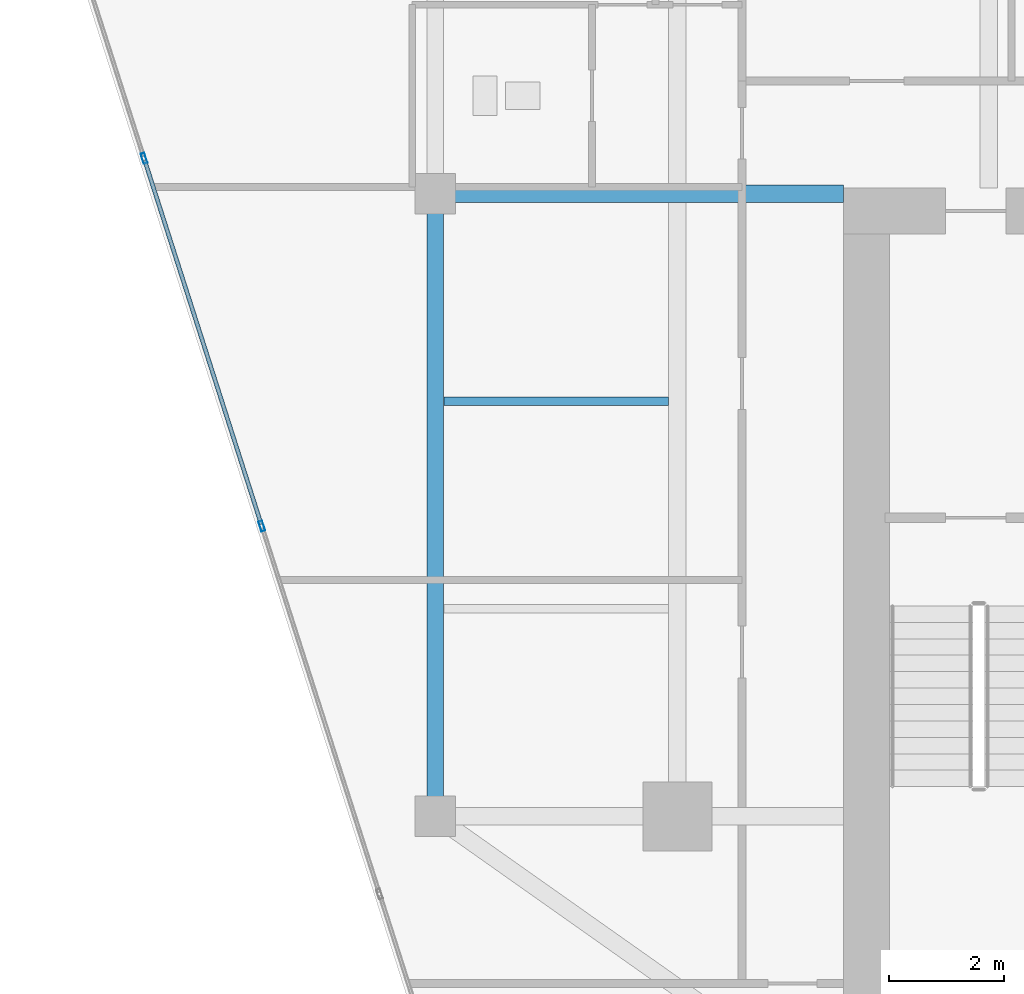
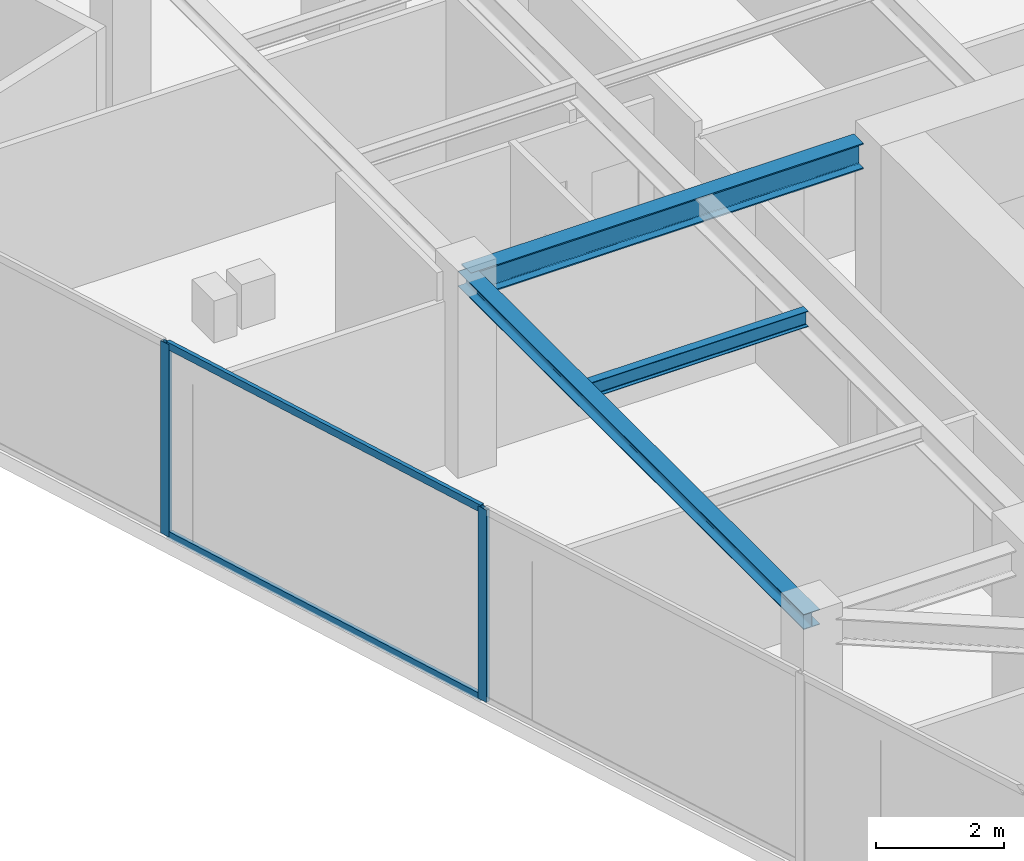
# One storey, part 5 of 21: 4 members, 3 beams, 1 element without a shape of its own.
"""IFC4 building model written with IfcOpenShell, lengths in metres."""

from ifc_helpers import new_model, si_unit, direction, frame, origin, origin_2d, place, context, subcontext, project, spatial, hollow_rectangle, i_section, extrude, source, transform, mapped, material, material_profile, profile_set, type_object, type_shapes, element, aggregate, save


model = new_model("IFC4")

# Units and contexts
model_context = context("Model", 3, precision=1e-05, world=origin(), true_north=direction((0.0, 1.0)))
body_context = subcontext(model_context, "Body", "Model", "MODEL_VIEW")
ifc_project = project(units=[si_unit("LENGTHUNIT", "METRE"), si_unit("AREAUNIT", "SQUARE_METRE"), si_unit("VOLUMEUNIT", "CUBIC_METRE"), si_unit("PLANEANGLEUNIT", "RADIAN"), si_unit("MASSUNIT", "GRAM", prefix="KILO")], contexts=[model_context])

# Site, building, storey
site_placement = place(None, origin())
site = spatial("IfcSite", under=ifc_project, at=site_placement, CompositionType="ELEMENT")
building_placement = place(site_placement, origin())
building = spatial("IfcBuilding", under=site, at=building_placement, Name="Krantzveldt Concourse Tower", CompositionType="ELEMENT")
storey_placement = place(building_placement, frame((0.0, 0.0, 339.550048828125)))
storey = spatial("IfcBuildingStorey", under=building, at=storey_placement, Name="L83", CompositionType="ELEMENT", Elevation=339.550048828125)

# Beams
ifc_material_1 = material(Name="Steel S355JR", Category="steel")
ifc_material_profile_1 = material_profile(ifc_material_1, i_section(OverallWidth=0.300048828125, OverallDepth=0.489990234375, WebThickness=0.011962890625, FlangeThickness=0.02294921875, FilletRadius=0.027099609375, at=origin_2d()), Name="Steel S355JR", Category="steel")
ifc_profile_set_1 = profile_set([ifc_material_profile_1], Name="Steel S355JR - HEA 500")
beam_type_1 = type_object("IfcBeamType", Name="BM-B-HEA500", PredefinedType="BEAM", material=ifc_profile_set_1)
shared_shape_1 = source(origin(), body_context, "Body", "SweptSolid", [
    extrude(i_section(OverallWidth=0.300048828125, OverallDepth=0.489990234375, WebThickness=0.011962890625, FlangeThickness=0.02294921875, FilletRadius=0.027099609375, at=origin_2d()), origin(), (0.0, 0.0, 1.0), 7.080078125),
])
type_shapes(beam_type_1, [shared_shape_1])
beam_1_placement = place(storey_placement, frame((21.0, 26.699951171875, 3.425048828125), z_axis=(1.0, 0.0, 0.0), x_axis=(0.0, 1.0, 0.0)))
element("IfcBeam", 1, at=beam_1_placement, inside=storey, type_object=beam_type_1, Name="L83 Tower Girder BG-CW2", PredefinedType="BEAM", context=body_context, shape_type="MappedRepresentation", body=[
    mapped(shared_shape_1, transform((0.0, 0.0, 0.0), x_axis=(1.0, 0.0, 0.0), y_axis=(0.0, 1.0, 0.0), z_axis=(0.0, 0.0, 1.0), scale=1.0)),
])
ifc_material_profile_2 = material_profile(ifc_material_1, i_section(OverallWidth=0.2900390625, OverallDepth=0.2900390625, WebThickness=0.008544921875, FlangeThickness=0.013916015625, FilletRadius=0.027099609375, at=origin_2d()), Name="Steel S355JR", Category="steel")
ifc_profile_set_2 = profile_set([ifc_material_profile_2], Name="Steel S355JR - HEA 300")
beam_type_2 = type_object("IfcBeamType", Name="BM-SP-HEA300", PredefinedType="SPANDREL", material=ifc_profile_set_2)
shared_shape_2 = source(origin(), body_context, "Body", "SweptSolid", [
    extrude(i_section(OverallWidth=0.2900390625, OverallDepth=0.2900390625, WebThickness=0.008544921875, FlangeThickness=0.013916015625, FilletRadius=0.027099609375, at=origin_2d()), origin(), (0.0, 0.0, 1.0), 10.800048828125),
])
type_shapes(beam_type_2, [shared_shape_2])
beam_2_placement = place(storey_placement, frame((21.0, 15.89990234375, 3.52490234375), z_axis=(0.0, 1.0, 0.0), x_axis=(-1.0, 0.0, 0.0)))
element("IfcBeam", 2, at=beam_2_placement, inside=storey, type_object=beam_type_2, Name="L83 Tower Girder SP-R01", PredefinedType="SPANDREL", context=body_context, shape_type="MappedRepresentation", body=[
    mapped(shared_shape_2, transform((0.0, 0.0, 0.0), x_axis=(1.0, 0.0, 0.0), y_axis=(0.0, 1.0, 0.0), z_axis=(0.0, 0.0, 1.0), scale=1.0)),
])
ifc_material_profile_3 = material_profile(ifc_material_1, i_section(OverallWidth=0.14990234375, OverallDepth=0.300048828125, WebThickness=0.007080078125, FlangeThickness=0.0107421875, FilletRadius=0.014892578125, at=origin_2d()), Name="Steel S355JR", Category="steel")
ifc_profile_set_3 = profile_set([ifc_material_profile_3], Name="Steel S355JR - IPE 300")
beam_type_3 = type_object("IfcBeamType", Name="BM-J-IPE300", PredefinedType="JOIST", material=ifc_profile_set_3)
shared_shape_3 = source(origin(), body_context, "Body", "SweptSolid", [
    extrude(i_section(OverallWidth=0.14990234375, OverallDepth=0.300048828125, WebThickness=0.007080078125, FlangeThickness=0.0107421875, FilletRadius=0.014892578125, at=origin_2d()), origin(), (0.0, 0.0, 1.0), 3.900146484375),
])
type_shapes(beam_type_3, [shared_shape_3])
beam_3_placement = place(storey_placement, frame((21.14990234375, 23.10009765625, 3.52001953125), z_axis=(1.0, 0.0, 0.0), x_axis=(0.0, 1.0, 0.0)))
element("IfcBeam", 3, at=beam_3_placement, inside=storey, type_object=beam_type_3, Name="L83 Secondary Floor Joist JW-2", PredefinedType="JOIST", context=body_context, shape_type="MappedRepresentation", body=[
    mapped(shared_shape_3, transform((0.0, 0.0, 0.0), x_axis=(1.0, 0.0, 0.0), y_axis=(0.0, 1.0, 0.0), z_axis=(0.0, 0.0, 1.0), scale=1.0)),
])

# Curtain wall, members
ifc_material_2 = material(Name="Anodised aluminium 6063-T6", Category="aluminium")
curtain_wall_type = type_object("IfcCurtainWallType", Name="CW4", PredefinedType="USERDEFINED", material=ifc_material_2)
curtain_wall_placement = place(storey_placement, origin())
curtain_wall = element("IfcCurtainWall", 4, at=curtain_wall_placement, inside=storey, type_object=curtain_wall_type, Name="CW-L83-F04", ObjectType="UNITISED CURTAIN WALL", PredefinedType="USERDEFINED")
ifc_material_profile_4 = material_profile(ifc_material_2, hollow_rectangle(XDim=0.070068359375, YDim=0.179931640625, WallThickness=0.0048828125, at=origin_2d()), Name="Anodised aluminium 6063-T6", Category="aluminium")
ifc_profile_set_4 = profile_set([ifc_material_profile_4], Name="Anodised aluminium 6063-T6 - ALU-MULL 180x70x5")
member_type_1 = type_object("IfcMemberType", Name="CW-MUL-180", PredefinedType="MULLION", material=ifc_profile_set_4)
shared_shape_4 = source(origin(), body_context, "Body", "SweptSolid", [
    extrude(hollow_rectangle(XDim=0.070068359375, YDim=0.179931640625, WallThickness=0.0048828125, at=origin_2d()), origin(), (0.0, 0.0, 1.0), 3.669921875),
])
type_shapes(member_type_1, [shared_shape_4])
member_1_placement = place(storey_placement, frame((15.947509765625, 27.316162109375, 0.0), z_axis=(0.0, 0.0, 1.0), x_axis=(0.952395843376, 0.304864162408, 0.0)))
member_1 = element("IfcMember", 5, at=member_1_placement, type_object=member_type_1, Name="CW-Z56 mullion 2", PredefinedType="MULLION", context=body_context, shape_type="MappedRepresentation", body=[
    mapped(shared_shape_4, transform((0.0, 0.0, 0.0), x_axis=(1.0, 0.0, 0.0), y_axis=(0.0, 1.0, 0.0), z_axis=(0.0, 0.0, 1.0), scale=1.0)),
])
member_2_placement = place(storey_placement, frame((17.990234375, 20.93505859375, 0.0), z_axis=(0.0, 0.0, 1.0), x_axis=(0.952395843376, 0.304864162408, 0.0)))
member_2 = element("IfcMember", 6, at=member_2_placement, type_object=member_type_1, Name="CW-Z56 mullion 3", PredefinedType="MULLION", context=body_context, shape_type="MappedRepresentation", body=[
    mapped(shared_shape_4, transform((0.0, 0.0, 0.0), x_axis=(1.0, 0.0, 0.0), y_axis=(0.0, 1.0, 0.0), z_axis=(0.0, 0.0, 1.0), scale=1.0)),
])
ifc_material_profile_5 = material_profile(ifc_material_2, hollow_rectangle(XDim=0.070068359375, YDim=0.139892578125, WallThickness=0.0048828125, at=origin_2d()), Name="Anodised aluminium 6063-T6", Category="aluminium")
ifc_profile_set_5 = profile_set([ifc_material_profile_5], Name="Anodised aluminium 6063-T6 - ALU-TRAN 140x70x5")
member_type_2 = type_object("IfcMemberType", Name="CW-TRN-150", PredefinedType="USERDEFINED", material=ifc_profile_set_5)
shared_shape_5 = source(origin(), body_context, "Body", "SweptSolid", [
    extrude(hollow_rectangle(XDim=0.070068359375, YDim=0.139892578125, WallThickness=0.0048828125, at=origin_2d()), origin(), (0.0, 0.0, 1.0), 6.630126953125),
])
type_shapes(member_type_2, [shared_shape_5])
member_3_placement = place(storey_placement, frame((15.958251953125, 27.28271484375, 0.034912109375), z_axis=(0.304859901036, -0.95239720744, 0.0), x_axis=(0.95239720744, 0.304859901036, 0.0)))
member_3 = element("IfcMember", 7, at=member_3_placement, type_object=member_type_2, Name="CW-Z56 transom 2.1", ObjectType="TRANSOM", PredefinedType="USERDEFINED", context=body_context, shape_type="MappedRepresentation", body=[
    mapped(shared_shape_5, transform((0.0, 0.0, 0.0), x_axis=(1.0, 0.0, 0.0), y_axis=(0.0, 1.0, 0.0), z_axis=(0.0, 0.0, 1.0), scale=1.0)),
])
member_4_placement = place(storey_placement, frame((15.958251953125, 27.28271484375, 3.635009765625), z_axis=(0.304859901036, -0.95239720744, 0.0), x_axis=(0.95239720744, 0.304859901036, 0.0)))
member_4 = element("IfcMember", 8, at=member_4_placement, type_object=member_type_2, Name="CW-Z56 transom 2.2", ObjectType="TRANSOM", PredefinedType="USERDEFINED", context=body_context, shape_type="MappedRepresentation", body=[
    mapped(shared_shape_5, transform((0.0, 0.0, 0.0), x_axis=(1.0, 0.0, 0.0), y_axis=(0.0, 1.0, 0.0), z_axis=(0.0, 0.0, 1.0), scale=1.0)),
])
aggregate(curtain_wall, [member_1, member_2, member_3, member_4])

save(model, "model.ifc")
